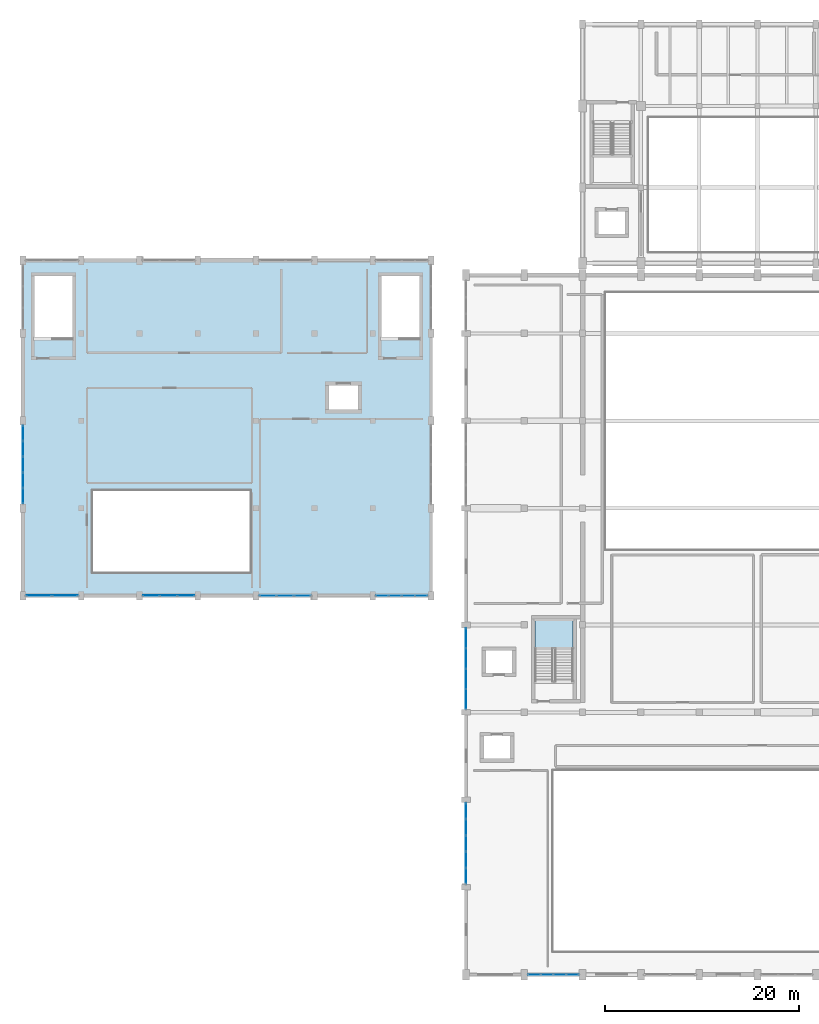
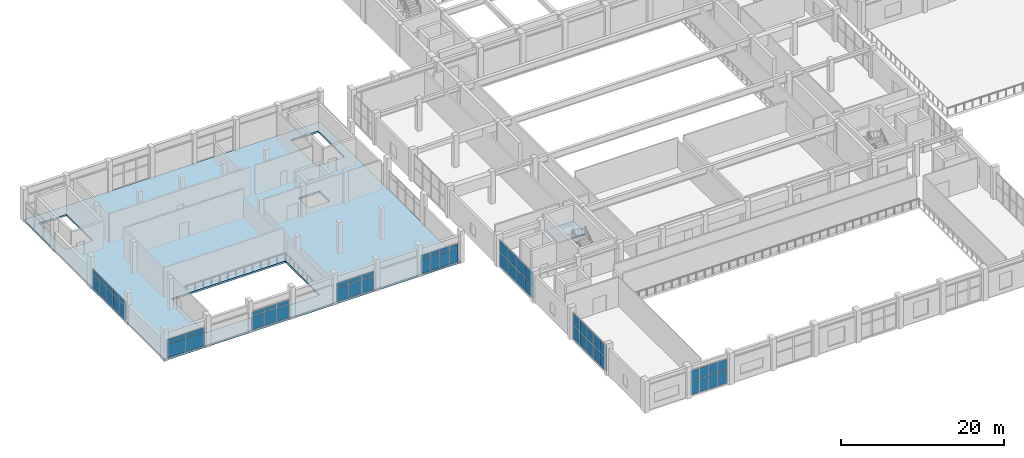
# One storey, part 34 of 62: 60 plates, 2 slabs, 9 elements without a shape of their own.
"""IFC4 building model written with IfcOpenShell, lengths in metres."""

from ifc_helpers import new_model, si_unit, direction, frame, origin, origin_2d, place, context, subcontext, project, spatial, polyline, rectangle, outline, extrude, material, layer, layer_set, type_object, element, aggregate, save


model = new_model("IFC4")

# Units and contexts
model_context = context("Model", 3, precision=1e-05, world=origin(), true_north=direction((0.0, 1.0)))
body_context = subcontext(model_context, "Body", "Model", "MODEL_VIEW")
ifc_project = project(units=[si_unit("LENGTHUNIT", "METRE"), si_unit("AREAUNIT", "SQUARE_METRE"), si_unit("VOLUMEUNIT", "CUBIC_METRE"), si_unit("PLANEANGLEUNIT", "RADIAN"), si_unit("MASSUNIT", "GRAM", prefix="KILO")], contexts=[model_context])

# Site, building, storey
site_placement = place(None, origin())
site = spatial("IfcSite", under=ifc_project, at=site_placement, CompositionType="ELEMENT")
building_placement = place(site_placement, origin())
building = spatial("IfcBuilding", under=site, at=building_placement, Name="Vaelkrest Opera House", CompositionType="ELEMENT")
storey_placement = place(building_placement, frame((0.0, 0.0, 19.800048828125)))
storey = spatial("IfcBuildingStorey", under=building, at=storey_placement, Name="L04", CompositionType="ELEMENT", Elevation=19.800048828125)

# Curtain wall, plates
ifc_material_1 = material(Name="Dark bronze anodized aluminium", Category="aluminium")
ifc_layer_1 = layer(ifc_material_1, 0.18994140625)
ifc_layer_set_1 = layer_set([ifc_layer_1], Name="Dark bronze anodized aluminium")
curtain_wall_type_1 = type_object("IfcCurtainWallType", Name="CW02", PredefinedType="NOTDEFINED", material=ifc_layer_set_1)
curtain_wall_1_placement = place(storey_placement, origin())
curtain_wall_1 = element("IfcCurtainWall", 1, at=curtain_wall_1_placement, inside=storey, type_object=curtain_wall_type_1, Name="Curtain wall CW-L04-059", PredefinedType="NOTDEFINED")
ifc_material_2 = material(Name="Double low-E insulated glazing", Category="glass")
ifc_layer_2 = layer(ifc_material_2, 0.030029296875)
ifc_layer_set_2 = layer_set([ifc_layer_2], Name="Double low-E insulated glazing")
plate_type_1 = type_object("IfcPlateType", Name="CWP02", PredefinedType="CURTAIN_PANEL", material=ifc_layer_set_2)
plate_1_placement = place(storey_placement, frame((-19.028564453125, -55.800048828125, 0.070068359375), z_axis=(0.0, 0.0, 1.0), x_axis=(-1.0, 0.0, 0.0)))
plate_1 = element("IfcPlate", 2, at=plate_1_placement, type_object=plate_type_1, Name="CW02 panel 1.1", PredefinedType="CURTAIN_PANEL", context=body_context, shape_type="SweptSolid", body=[
    extrude(rectangle(XDim=1.220947265625, YDim=0.030029296875, at=origin_2d()), origin(), (0.0, 0.0, 1.0), 2.044921875),
])
plate_2_placement = place(storey_placement, frame((-19.028564453125, -55.800048828125, 2.18505859375), z_axis=(0.0, 0.0, 1.0), x_axis=(-1.0, 0.0, 0.0)))
plate_2 = element("IfcPlate", 3, at=plate_2_placement, type_object=plate_type_1, Name="CW02 panel 1.2", PredefinedType="CURTAIN_PANEL", context=body_context, shape_type="SweptSolid", body=[
    extrude(rectangle(XDim=1.220947265625, YDim=0.030029296875, at=origin_2d()), origin(), (0.0, 0.0, 1.0), 1.489990234375),
])
plate_3_placement = place(storey_placement, frame((-20.3369140625, -55.800048828125, 0.070068359375), z_axis=(0.0, 0.0, 1.0), x_axis=(-1.0, 0.0, 0.0)))
plate_3 = element("IfcPlate", 4, at=plate_3_placement, type_object=plate_type_1, Name="CW02 panel 2.1", PredefinedType="CURTAIN_PANEL", context=body_context, shape_type="SweptSolid", body=[
    extrude(rectangle(XDim=1.256103515625, YDim=0.030029296875, at=origin_2d()), origin(), (0.0, 0.0, 1.0), 2.044921875),
])
plate_4_placement = place(storey_placement, frame((-20.3369140625, -55.800048828125, 2.18505859375), z_axis=(0.0, 0.0, 1.0), x_axis=(-1.0, 0.0, 0.0)))
plate_4 = element("IfcPlate", 5, at=plate_4_placement, type_object=plate_type_1, Name="CW02 panel 2.2", PredefinedType="CURTAIN_PANEL", context=body_context, shape_type="SweptSolid", body=[
    extrude(rectangle(XDim=1.256103515625, YDim=0.030029296875, at=origin_2d()), origin(), (0.0, 0.0, 1.0), 1.489990234375),
])
plate_5_placement = place(storey_placement, frame((-21.6630859375, -55.800048828125, 0.070068359375), z_axis=(0.0, 0.0, 1.0), x_axis=(-1.0, 0.0, 0.0)))
plate_5 = element("IfcPlate", 6, at=plate_5_placement, type_object=plate_type_1, Name="CW02 panel 3.1", PredefinedType="CURTAIN_PANEL", context=body_context, shape_type="SweptSolid", body=[
    extrude(rectangle(XDim=1.256103515625, YDim=0.030029296875, at=origin_2d()), origin(), (0.0, 0.0, 1.0), 2.044921875),
])
plate_6_placement = place(storey_placement, frame((-21.6630859375, -55.800048828125, 2.18505859375), z_axis=(0.0, 0.0, 1.0), x_axis=(-1.0, 0.0, 0.0)))
plate_6 = element("IfcPlate", 7, at=plate_6_placement, type_object=plate_type_1, Name="CW02 panel 3.2", PredefinedType="CURTAIN_PANEL", context=body_context, shape_type="SweptSolid", body=[
    extrude(rectangle(XDim=1.256103515625, YDim=0.030029296875, at=origin_2d()), origin(), (0.0, 0.0, 1.0), 1.489990234375),
])
plate_7_placement = place(storey_placement, frame((-22.971435546875, -55.800048828125, 0.070068359375), z_axis=(0.0, 0.0, 1.0), x_axis=(-1.0, 0.0, 0.0)))
plate_7 = element("IfcPlate", 8, at=plate_7_placement, type_object=plate_type_1, Name="CW02 panel 4.1", PredefinedType="CURTAIN_PANEL", context=body_context, shape_type="SweptSolid", body=[
    extrude(rectangle(XDim=1.220947265625, YDim=0.030029296875, at=origin_2d()), origin(), (0.0, 0.0, 1.0), 2.044921875),
])
plate_8_placement = place(storey_placement, frame((-22.971435546875, -55.800048828125, 2.18505859375), z_axis=(0.0, 0.0, 1.0), x_axis=(-1.0, 0.0, 0.0)))
plate_8 = element("IfcPlate", 9, at=plate_8_placement, type_object=plate_type_1, Name="CW02 panel 4.2", PredefinedType="CURTAIN_PANEL", context=body_context, shape_type="SweptSolid", body=[
    extrude(rectangle(XDim=1.220947265625, YDim=0.030029296875, at=origin_2d()), origin(), (0.0, 0.0, 1.0), 1.489990234375),
])
aggregate(curtain_wall_1, [plate_1, plate_2, plate_3, plate_4, plate_5, plate_6, plate_7, plate_8])

curtain_wall_2_placement = place(storey_placement, origin())
curtain_wall_2 = element("IfcCurtainWall", 10, at=curtain_wall_2_placement, inside=storey, type_object=curtain_wall_type_1, Name="Curtain wall CW-L04-137", PredefinedType="NOTDEFINED")
plate_9_placement = place(storey_placement, frame((-34.591064453125, -16.800048828125, 0.070068359375), z_axis=(0.0, 0.0, 1.0), x_axis=(-1.0, 0.0, 0.0)))
plate_9 = element("IfcPlate", 11, at=plate_9_placement, type_object=plate_type_1, Name="CW02 panel 1.1", PredefinedType="CURTAIN_PANEL", context=body_context, shape_type="SweptSolid", body=[
    extrude(rectangle(XDim=1.24609375, YDim=0.030029296875, at=origin_2d()), origin(), (0.0, 0.0, 1.0), 2.044921875),
])
plate_10_placement = place(storey_placement, frame((-34.591064453125, -16.800048828125, 2.18505859375), z_axis=(0.0, 0.0, 1.0), x_axis=(-1.0, 0.0, 0.0)))
plate_10 = element("IfcPlate", 12, at=plate_10_placement, type_object=plate_type_1, Name="CW02 panel 1.2", PredefinedType="CURTAIN_PANEL", context=body_context, shape_type="SweptSolid", body=[
    extrude(rectangle(XDim=1.24609375, YDim=0.030029296875, at=origin_2d()), origin(), (0.0, 0.0, 1.0), 0.596923828125),
])
plate_11_placement = place(storey_placement, frame((-35.924560546875, -16.800048828125, 0.070068359375), z_axis=(0.0, 0.0, 1.0), x_axis=(-1.0, 0.0, 0.0)))
plate_11 = element("IfcPlate", 13, at=plate_11_placement, type_object=plate_type_1, Name="CW02 panel 2.1", PredefinedType="CURTAIN_PANEL", context=body_context, shape_type="SweptSolid", body=[
    extrude(rectangle(XDim=1.281005859375, YDim=0.030029296875, at=origin_2d()), origin(), (0.0, 0.0, 1.0), 2.044921875),
])
plate_12_placement = place(storey_placement, frame((-35.924560546875, -16.800048828125, 2.18505859375), z_axis=(0.0, 0.0, 1.0), x_axis=(-1.0, 0.0, 0.0)))
plate_12 = element("IfcPlate", 14, at=plate_12_placement, type_object=plate_type_1, Name="CW02 panel 2.2", PredefinedType="CURTAIN_PANEL", context=body_context, shape_type="SweptSolid", body=[
    extrude(rectangle(XDim=1.281005859375, YDim=0.030029296875, at=origin_2d()), origin(), (0.0, 0.0, 1.0), 0.596923828125),
])
plate_13_placement = place(storey_placement, frame((-37.275390625, -16.800048828125, 0.070068359375), z_axis=(0.0, 0.0, 1.0), x_axis=(-1.0, 0.0, 0.0)))
plate_13 = element("IfcPlate", 15, at=plate_13_placement, type_object=plate_type_1, Name="CW02 panel 3.1", PredefinedType="CURTAIN_PANEL", context=body_context, shape_type="SweptSolid", body=[
    extrude(rectangle(XDim=1.281005859375, YDim=0.030029296875, at=origin_2d()), origin(), (0.0, 0.0, 1.0), 2.044921875),
])
plate_14_placement = place(storey_placement, frame((-37.275390625, -16.800048828125, 2.18505859375), z_axis=(0.0, 0.0, 1.0), x_axis=(-1.0, 0.0, 0.0)))
plate_14 = element("IfcPlate", 16, at=plate_14_placement, type_object=plate_type_1, Name="CW02 panel 3.2", PredefinedType="CURTAIN_PANEL", context=body_context, shape_type="SweptSolid", body=[
    extrude(rectangle(XDim=1.281005859375, YDim=0.030029296875, at=origin_2d()), origin(), (0.0, 0.0, 1.0), 0.596923828125),
])
plate_15_placement = place(storey_placement, frame((-38.60888671875, -16.800048828125, 0.070068359375), z_axis=(0.0, 0.0, 1.0), x_axis=(-1.0, 0.0, 0.0)))
plate_15 = element("IfcPlate", 17, at=plate_15_placement, type_object=plate_type_1, Name="CW02 panel 4.1", PredefinedType="CURTAIN_PANEL", context=body_context, shape_type="SweptSolid", body=[
    extrude(rectangle(XDim=1.24609375, YDim=0.030029296875, at=origin_2d()), origin(), (0.0, 0.0, 1.0), 2.044921875),
])
plate_16_placement = place(storey_placement, frame((-38.60888671875, -16.800048828125, 2.18505859375), z_axis=(0.0, 0.0, 1.0), x_axis=(-1.0, 0.0, 0.0)))
plate_16 = element("IfcPlate", 18, at=plate_16_placement, type_object=plate_type_1, Name="CW02 panel 4.2", PredefinedType="CURTAIN_PANEL", context=body_context, shape_type="SweptSolid", body=[
    extrude(rectangle(XDim=1.24609375, YDim=0.030029296875, at=origin_2d()), origin(), (0.0, 0.0, 1.0), 0.596923828125),
])
aggregate(curtain_wall_2, [plate_9, plate_10, plate_11, plate_12, plate_13, plate_14, plate_15, plate_16])

ifc_layer_3 = layer(ifc_material_1, 0.2099609375)
ifc_layer_set_3 = layer_set([ifc_layer_3], Name="Dark bronze anodized aluminium")
curtain_wall_type_2 = type_object("IfcCurtainWallType", Name="CW04", PredefinedType="NOTDEFINED", material=ifc_layer_set_3)
curtain_wall_3_placement = place(storey_placement, origin())
curtain_wall_3 = element("IfcCurtainWall", 19, at=curtain_wall_3_placement, inside=storey, type_object=curtain_wall_type_2, Name="Curtain wall CW-L04-060", PredefinedType="NOTDEFINED")
ifc_layer_4 = layer(ifc_material_2, 0.0380859375)
ifc_layer_set_4 = layer_set([ifc_layer_4], Name="Double low-E insulated glazing")
plate_type_2 = type_object("IfcPlateType", Name="CWP04", PredefinedType="CURTAIN_PANEL", material=ifc_layer_set_4)
plate_17_placement = place(storey_placement, frame((-30.0, -45.6416015625, 0.080078125), z_axis=(0.0, 0.0, 1.0), x_axis=(0.0, 1.0, 0.0)))
plate_17 = element("IfcPlate", 20, at=plate_17_placement, type_object=plate_type_2, Name="CW04 panel 1.1", PredefinedType="CURTAIN_PANEL", context=body_context, shape_type="SweptSolid", body=[
    extrude(rectangle(XDim=1.560791015625, YDim=0.0380859375, at=origin_2d()), origin(), (0.0, 0.0, 1.0), 2.030029296875),
])
plate_18_placement = place(storey_placement, frame((-30.0, -45.6416015625, 2.18994140625), z_axis=(0.0, 0.0, 1.0), x_axis=(0.0, 1.0, 0.0)))
plate_18 = element("IfcPlate", 21, at=plate_18_placement, type_object=plate_type_2, Name="CW04 panel 1.2", PredefinedType="CURTAIN_PANEL", context=body_context, shape_type="SweptSolid", body=[
    extrude(rectangle(XDim=1.560791015625, YDim=0.0380859375, at=origin_2d()), origin(), (0.0, 0.0, 1.0), 1.77294921875),
])
plate_19_placement = place(storey_placement, frame((-30.0, -43.980712890625, 0.080078125), z_axis=(0.0, 0.0, 1.0), x_axis=(0.0, 1.0, 0.0)))
plate_19 = element("IfcPlate", 22, at=plate_19_placement, type_object=plate_type_2, Name="CW04 panel 2.1", PredefinedType="CURTAIN_PANEL", context=body_context, shape_type="SweptSolid", body=[
    extrude(rectangle(XDim=1.600830078125, YDim=0.0380859375, at=origin_2d()), origin(), (0.0, 0.0, 1.0), 2.030029296875),
])
plate_20_placement = place(storey_placement, frame((-30.0, -43.980712890625, 2.18994140625), z_axis=(0.0, 0.0, 1.0), x_axis=(0.0, 1.0, 0.0)))
plate_20 = element("IfcPlate", 23, at=plate_20_placement, type_object=plate_type_2, Name="CW04 panel 2.2", PredefinedType="CURTAIN_PANEL", context=body_context, shape_type="SweptSolid", body=[
    extrude(rectangle(XDim=1.600830078125, YDim=0.0380859375, at=origin_2d()), origin(), (0.0, 0.0, 1.0), 1.77294921875),
])
plate_21_placement = place(storey_placement, frame((-30.0, -42.300048828125, 0.080078125), z_axis=(0.0, 0.0, 1.0), x_axis=(0.0, 1.0, 0.0)))
plate_21 = element("IfcPlate", 24, at=plate_21_placement, type_object=plate_type_2, Name="CW04 panel 3.1", PredefinedType="CURTAIN_PANEL", context=body_context, shape_type="SweptSolid", body=[
    extrude(rectangle(XDim=1.600830078125, YDim=0.0380859375, at=origin_2d()), origin(), (0.0, 0.0, 1.0), 2.030029296875),
])
plate_22_placement = place(storey_placement, frame((-30.0, -42.300048828125, 2.18994140625), z_axis=(0.0, 0.0, 1.0), x_axis=(0.0, 1.0, 0.0)))
plate_22 = element("IfcPlate", 25, at=plate_22_placement, type_object=plate_type_2, Name="CW04 panel 3.2", PredefinedType="CURTAIN_PANEL", context=body_context, shape_type="SweptSolid", body=[
    extrude(rectangle(XDim=1.600830078125, YDim=0.0380859375, at=origin_2d()), origin(), (0.0, 0.0, 1.0), 1.77294921875),
])
plate_23_placement = place(storey_placement, frame((-30.0, -40.619140625, 0.080078125), z_axis=(0.0, 0.0, 1.0), x_axis=(0.0, 1.0, 0.0)))
plate_23 = element("IfcPlate", 26, at=plate_23_placement, type_object=plate_type_2, Name="CW04 panel 4.1", PredefinedType="CURTAIN_PANEL", context=body_context, shape_type="SweptSolid", body=[
    extrude(rectangle(XDim=1.600830078125, YDim=0.0380859375, at=origin_2d()), origin(), (0.0, 0.0, 1.0), 2.030029296875),
])
plate_24_placement = place(storey_placement, frame((-30.0, -40.619140625, 2.18994140625), z_axis=(0.0, 0.0, 1.0), x_axis=(0.0, 1.0, 0.0)))
plate_24 = element("IfcPlate", 27, at=plate_24_placement, type_object=plate_type_2, Name="CW04 panel 4.2", PredefinedType="CURTAIN_PANEL", context=body_context, shape_type="SweptSolid", body=[
    extrude(rectangle(XDim=1.600830078125, YDim=0.0380859375, at=origin_2d()), origin(), (0.0, 0.0, 1.0), 1.77294921875),
])
plate_25_placement = place(storey_placement, frame((-30.0, -38.95849609375, 0.080078125), z_axis=(0.0, 0.0, 1.0), x_axis=(0.0, 1.0, 0.0)))
plate_25 = element("IfcPlate", 28, at=plate_25_placement, type_object=plate_type_2, Name="CW04 panel 5.1", PredefinedType="CURTAIN_PANEL", context=body_context, shape_type="SweptSolid", body=[
    extrude(rectangle(XDim=1.560791015625, YDim=0.0380859375, at=origin_2d()), origin(), (0.0, 0.0, 1.0), 2.030029296875),
])
plate_26_placement = place(storey_placement, frame((-30.0, -38.95849609375, 2.18994140625), z_axis=(0.0, 0.0, 1.0), x_axis=(0.0, 1.0, 0.0)))
plate_26 = element("IfcPlate", 29, at=plate_26_placement, type_object=plate_type_2, Name="CW04 panel 5.2", PredefinedType="CURTAIN_PANEL", context=body_context, shape_type="SweptSolid", body=[
    extrude(rectangle(XDim=1.560791015625, YDim=0.0380859375, at=origin_2d()), origin(), (0.0, 0.0, 1.0), 1.77294921875),
])
aggregate(curtain_wall_3, [plate_17, plate_18, plate_19, plate_20, plate_21, plate_22, plate_23, plate_24, plate_25, plate_26])

curtain_wall_4_placement = place(storey_placement, origin())
curtain_wall_4 = element("IfcCurtainWall", 30, at=curtain_wall_4_placement, inside=storey, type_object=curtain_wall_type_2, Name="Curtain wall CW-L04-138", PredefinedType="NOTDEFINED")
plate_27_placement = place(storey_placement, frame((-46.818603515625, -16.800048828125, 0.080078125), z_axis=(0.0, 0.0, 1.0), x_axis=(-1.0, 0.0, 0.0)))
plate_27 = element("IfcPlate", 31, at=plate_27_placement, type_object=plate_type_2, Name="CW04 panel 1.1", PredefinedType="CURTAIN_PANEL", context=body_context, shape_type="SweptSolid", body=[
    extrude(rectangle(XDim=1.681396484375, YDim=0.0380859375, at=origin_2d()), origin(), (0.0, 0.0, 1.0), 2.030029296875),
])
plate_28_placement = place(storey_placement, frame((-46.818603515625, -16.800048828125, 2.18994140625), z_axis=(0.0, 0.0, 1.0), x_axis=(-1.0, 0.0, 0.0)))
plate_28 = element("IfcPlate", 32, at=plate_28_placement, type_object=plate_type_2, Name="CW04 panel 1.2", PredefinedType="CURTAIN_PANEL", context=body_context, shape_type="SweptSolid", body=[
    extrude(rectangle(XDim=1.681396484375, YDim=0.0380859375, at=origin_2d()), origin(), (0.0, 0.0, 1.0), 0.58203125),
])
plate_29_placement = place(storey_placement, frame((-48.60009765625, -16.800048828125, 0.080078125), z_axis=(0.0, 0.0, 1.0), x_axis=(-1.0, 0.0, 0.0)))
plate_29 = element("IfcPlate", 33, at=plate_29_placement, type_object=plate_type_2, Name="CW04 panel 2.1", PredefinedType="CURTAIN_PANEL", context=body_context, shape_type="SweptSolid", body=[
    extrude(rectangle(XDim=1.721435546875, YDim=0.0380859375, at=origin_2d()), origin(), (0.0, 0.0, 1.0), 2.030029296875),
])
plate_30_placement = place(storey_placement, frame((-48.60009765625, -16.800048828125, 2.18994140625), z_axis=(0.0, 0.0, 1.0), x_axis=(-1.0, 0.0, 0.0)))
plate_30 = element("IfcPlate", 34, at=plate_30_placement, type_object=plate_type_2, Name="CW04 panel 2.2", PredefinedType="CURTAIN_PANEL", context=body_context, shape_type="SweptSolid", body=[
    extrude(rectangle(XDim=1.721435546875, YDim=0.0380859375, at=origin_2d()), origin(), (0.0, 0.0, 1.0), 0.58203125),
])
plate_31_placement = place(storey_placement, frame((-50.38134765625, -16.800048828125, 0.080078125), z_axis=(0.0, 0.0, 1.0), x_axis=(-1.0, 0.0, 0.0)))
plate_31 = element("IfcPlate", 35, at=plate_31_placement, type_object=plate_type_2, Name="CW04 panel 3.1", PredefinedType="CURTAIN_PANEL", context=body_context, shape_type="SweptSolid", body=[
    extrude(rectangle(XDim=1.681396484375, YDim=0.0380859375, at=origin_2d()), origin(), (0.0, 0.0, 1.0), 2.030029296875),
])
plate_32_placement = place(storey_placement, frame((-50.38134765625, -16.800048828125, 2.18994140625), z_axis=(0.0, 0.0, 1.0), x_axis=(-1.0, 0.0, 0.0)))
plate_32 = element("IfcPlate", 36, at=plate_32_placement, type_object=plate_type_2, Name="CW04 panel 3.2", PredefinedType="CURTAIN_PANEL", context=body_context, shape_type="SweptSolid", body=[
    extrude(rectangle(XDim=1.681396484375, YDim=0.0380859375, at=origin_2d()), origin(), (0.0, 0.0, 1.0), 0.58203125),
])
aggregate(curtain_wall_4, [plate_27, plate_28, plate_29, plate_30, plate_31, plate_32])

curtain_wall_5_placement = place(storey_placement, origin())
curtain_wall_5 = element("IfcCurtainWall", 37, at=curtain_wall_5_placement, inside=storey, type_object=curtain_wall_type_2, Name="Curtain wall CW-L04-141", PredefinedType="NOTDEFINED")
plate_33_placement = place(storey_placement, frame((-75.60009765625, -6.521484375, 0.080078125), z_axis=(0.0, 0.0, 1.0), x_axis=(0.0, 1.0, 0.0)))
plate_33 = element("IfcPlate", 38, at=plate_33_placement, type_object=plate_type_2, Name="CW04 panel 1.1", PredefinedType="CURTAIN_PANEL", context=body_context, shape_type="SweptSolid", body=[
    extrude(rectangle(XDim=1.500732421875, YDim=0.0380859375, at=origin_2d()), origin(), (0.0, 0.0, 1.0), 2.030029296875),
])
plate_34_placement = place(storey_placement, frame((-75.60009765625, -6.521484375, 2.18994140625), z_axis=(0.0, 0.0, 1.0), x_axis=(0.0, 1.0, 0.0)))
plate_34 = element("IfcPlate", 39, at=plate_34_placement, type_object=plate_type_2, Name="CW04 panel 1.2", PredefinedType="CURTAIN_PANEL", context=body_context, shape_type="SweptSolid", body=[
    extrude(rectangle(XDim=1.500732421875, YDim=0.0380859375, at=origin_2d()), origin(), (0.0, 0.0, 1.0), 0.68798828125),
])
plate_35_placement = place(storey_placement, frame((-75.60009765625, -4.9208984375, 0.080078125), z_axis=(0.0, 0.0, 1.0), x_axis=(0.0, 1.0, 0.0)))
plate_35 = element("IfcPlate", 40, at=plate_35_placement, type_object=plate_type_2, Name="CW04 panel 2.1", PredefinedType="CURTAIN_PANEL", context=body_context, shape_type="SweptSolid", body=[
    extrude(rectangle(XDim=1.540771484375, YDim=0.0380859375, at=origin_2d()), origin(), (0.0, 0.0, 1.0), 2.030029296875),
])
plate_36_placement = place(storey_placement, frame((-75.60009765625, -4.9208984375, 2.18994140625), z_axis=(0.0, 0.0, 1.0), x_axis=(0.0, 1.0, 0.0)))
plate_36 = element("IfcPlate", 41, at=plate_36_placement, type_object=plate_type_2, Name="CW04 panel 2.2", PredefinedType="CURTAIN_PANEL", context=body_context, shape_type="SweptSolid", body=[
    extrude(rectangle(XDim=1.540771484375, YDim=0.0380859375, at=origin_2d()), origin(), (0.0, 0.0, 1.0), 0.68798828125),
])
plate_37_placement = place(storey_placement, frame((-75.60009765625, -3.300048828125, 0.080078125), z_axis=(0.0, 0.0, 1.0), x_axis=(0.0, 1.0, 0.0)))
plate_37 = element("IfcPlate", 42, at=plate_37_placement, type_object=plate_type_2, Name="CW04 panel 3.1", PredefinedType="CURTAIN_PANEL", context=body_context, shape_type="SweptSolid", body=[
    extrude(rectangle(XDim=1.540771484375, YDim=0.0380859375, at=origin_2d()), origin(), (0.0, 0.0, 1.0), 2.030029296875),
])
plate_38_placement = place(storey_placement, frame((-75.60009765625, -3.300048828125, 2.18994140625), z_axis=(0.0, 0.0, 1.0), x_axis=(0.0, 1.0, 0.0)))
plate_38 = element("IfcPlate", 43, at=plate_38_placement, type_object=plate_type_2, Name="CW04 panel 3.2", PredefinedType="CURTAIN_PANEL", context=body_context, shape_type="SweptSolid", body=[
    extrude(rectangle(XDim=1.540771484375, YDim=0.0380859375, at=origin_2d()), origin(), (0.0, 0.0, 1.0), 0.68798828125),
])
plate_39_placement = place(storey_placement, frame((-75.60009765625, -1.67919921875, 0.080078125), z_axis=(0.0, 0.0, 1.0), x_axis=(0.0, 1.0, 0.0)))
plate_39 = element("IfcPlate", 44, at=plate_39_placement, type_object=plate_type_2, Name="CW04 panel 4.1", PredefinedType="CURTAIN_PANEL", context=body_context, shape_type="SweptSolid", body=[
    extrude(rectangle(XDim=1.540771484375, YDim=0.0380859375, at=origin_2d()), origin(), (0.0, 0.0, 1.0), 2.030029296875),
])
plate_40_placement = place(storey_placement, frame((-75.60009765625, -1.67919921875, 2.18994140625), z_axis=(0.0, 0.0, 1.0), x_axis=(0.0, 1.0, 0.0)))
plate_40 = element("IfcPlate", 45, at=plate_40_placement, type_object=plate_type_2, Name="CW04 panel 4.2", PredefinedType="CURTAIN_PANEL", context=body_context, shape_type="SweptSolid", body=[
    extrude(rectangle(XDim=1.540771484375, YDim=0.0380859375, at=origin_2d()), origin(), (0.0, 0.0, 1.0), 0.68798828125),
])
plate_41_placement = place(storey_placement, frame((-75.60009765625, -0.078369140625, 0.080078125), z_axis=(0.0, 0.0, 1.0), x_axis=(0.0, 1.0, 0.0)))
plate_41 = element("IfcPlate", 46, at=plate_41_placement, type_object=plate_type_2, Name="CW04 panel 5.1", PredefinedType="CURTAIN_PANEL", context=body_context, shape_type="SweptSolid", body=[
    extrude(rectangle(XDim=1.500732421875, YDim=0.0380859375, at=origin_2d()), origin(), (0.0, 0.0, 1.0), 2.030029296875),
])
plate_42_placement = place(storey_placement, frame((-75.60009765625, -0.078369140625, 2.18994140625), z_axis=(0.0, 0.0, 1.0), x_axis=(0.0, 1.0, 0.0)))
plate_42 = element("IfcPlate", 47, at=plate_42_placement, type_object=plate_type_2, Name="CW04 panel 5.2", PredefinedType="CURTAIN_PANEL", context=body_context, shape_type="SweptSolid", body=[
    extrude(rectangle(XDim=1.500732421875, YDim=0.0380859375, at=origin_2d()), origin(), (0.0, 0.0, 1.0), 0.68798828125),
])
aggregate(curtain_wall_5, [plate_33, plate_34, plate_35, plate_36, plate_37, plate_38, plate_39, plate_40, plate_41, plate_42])

ifc_layer_5 = layer(ifc_material_1, 0.22998046875)
ifc_layer_set_5 = layer_set([ifc_layer_5], Name="Dark bronze anodized aluminium")
curtain_wall_type_3 = type_object("IfcCurtainWallType", Name="CW06", PredefinedType="NOTDEFINED", material=ifc_layer_set_5)
curtain_wall_6_placement = place(storey_placement, origin())
curtain_wall_6 = element("IfcCurtainWall", 48, at=curtain_wall_6_placement, inside=storey, type_object=curtain_wall_type_3, Name="Curtain wall CW-L04-061", PredefinedType="NOTDEFINED")
ifc_material_3 = material(Name="Dark bronze anodized aluminium spandrel", Category="aluminium")
ifc_layer_6 = layer(ifc_material_3, 0.0458984375)
ifc_layer_set_6 = layer_set([ifc_layer_6], Name="Dark bronze anodized aluminium spandrel")
plate_type_3 = type_object("IfcPlateType", Name="CWP06", PredefinedType="CURTAIN_PANEL", material=ifc_layer_set_6)
plate_43_placement = place(storey_placement, frame((-30.0, -27.43408203125, 0.080078125), z_axis=(0.0, 0.0, 1.0), x_axis=(0.0, 1.0, 0.0)))
plate_43 = element("IfcPlate", 49, at=plate_43_placement, type_object=plate_type_3, Name="CW06 panel 1.1", PredefinedType="CURTAIN_PANEL", context=body_context, shape_type="SweptSolid", body=[
    extrude(rectangle(XDim=1.99609375, YDim=0.0458984375, at=origin_2d()), origin(), (0.0, 0.0, 1.0), 2.030029296875),
])
plate_44_placement = place(storey_placement, frame((-30.0, -27.43408203125, 2.18994140625), z_axis=(0.0, 0.0, 1.0), x_axis=(0.0, 1.0, 0.0)))
plate_44 = element("IfcPlate", 50, at=plate_44_placement, type_object=plate_type_3, Name="CW06 panel 1.2", PredefinedType="CURTAIN_PANEL", context=body_context, shape_type="SweptSolid", body=[
    extrude(rectangle(XDim=1.99609375, YDim=0.0458984375, at=origin_2d()), origin(), (0.0, 0.0, 1.0), 1.77294921875),
])
plate_45_placement = place(storey_placement, frame((-30.0, -25.3505859375, 0.080078125), z_axis=(0.0, 0.0, 1.0), x_axis=(0.0, 1.0, 0.0)))
plate_45 = element("IfcPlate", 51, at=plate_45_placement, type_object=plate_type_3, Name="CW06 panel 2.1", PredefinedType="CURTAIN_PANEL", context=body_context, shape_type="SweptSolid", body=[
    extrude(rectangle(XDim=2.031005859375, YDim=0.0458984375, at=origin_2d()), origin(), (0.0, 0.0, 1.0), 2.030029296875),
])
plate_46_placement = place(storey_placement, frame((-30.0, -25.3505859375, 2.18994140625), z_axis=(0.0, 0.0, 1.0), x_axis=(0.0, 1.0, 0.0)))
plate_46 = element("IfcPlate", 52, at=plate_46_placement, type_object=plate_type_3, Name="CW06 panel 2.2", PredefinedType="CURTAIN_PANEL", context=body_context, shape_type="SweptSolid", body=[
    extrude(rectangle(XDim=2.031005859375, YDim=0.0458984375, at=origin_2d()), origin(), (0.0, 0.0, 1.0), 1.77294921875),
])
plate_47_placement = place(storey_placement, frame((-30.0, -23.24951171875, 0.080078125), z_axis=(0.0, 0.0, 1.0), x_axis=(0.0, 1.0, 0.0)))
plate_47 = element("IfcPlate", 53, at=plate_47_placement, type_object=plate_type_3, Name="CW06 panel 3.1", PredefinedType="CURTAIN_PANEL", context=body_context, shape_type="SweptSolid", body=[
    extrude(rectangle(XDim=2.031005859375, YDim=0.0458984375, at=origin_2d()), origin(), (0.0, 0.0, 1.0), 2.030029296875),
])
plate_48_placement = place(storey_placement, frame((-30.0, -23.24951171875, 2.18994140625), z_axis=(0.0, 0.0, 1.0), x_axis=(0.0, 1.0, 0.0)))
plate_48 = element("IfcPlate", 54, at=plate_48_placement, type_object=plate_type_3, Name="CW06 panel 3.2", PredefinedType="CURTAIN_PANEL", context=body_context, shape_type="SweptSolid", body=[
    extrude(rectangle(XDim=2.031005859375, YDim=0.0458984375, at=origin_2d()), origin(), (0.0, 0.0, 1.0), 1.77294921875),
])
plate_49_placement = place(storey_placement, frame((-30.0, -21.166015625, 0.080078125), z_axis=(0.0, 0.0, 1.0), x_axis=(0.0, 1.0, 0.0)))
plate_49 = element("IfcPlate", 55, at=plate_49_placement, type_object=plate_type_3, Name="CW06 panel 4.1", PredefinedType="CURTAIN_PANEL", context=body_context, shape_type="SweptSolid", body=[
    extrude(rectangle(XDim=1.99609375, YDim=0.0458984375, at=origin_2d()), origin(), (0.0, 0.0, 1.0), 2.030029296875),
])
plate_50_placement = place(storey_placement, frame((-30.0, -21.166015625, 2.18994140625), z_axis=(0.0, 0.0, 1.0), x_axis=(0.0, 1.0, 0.0)))
plate_50 = element("IfcPlate", 56, at=plate_50_placement, type_object=plate_type_3, Name="CW06 panel 4.2", PredefinedType="CURTAIN_PANEL", context=body_context, shape_type="SweptSolid", body=[
    extrude(rectangle(XDim=1.99609375, YDim=0.0458984375, at=origin_2d()), origin(), (0.0, 0.0, 1.0), 1.77294921875),
])
aggregate(curtain_wall_6, [plate_43, plate_44, plate_45, plate_46, plate_47, plate_48, plate_49, plate_50])

curtain_wall_7_placement = place(storey_placement, origin())
curtain_wall_7 = element("IfcCurtainWall", 57, at=curtain_wall_7_placement, inside=storey, type_object=curtain_wall_type_3, Name="Curtain wall CW-L04-139", PredefinedType="NOTDEFINED")
plate_51_placement = place(storey_placement, frame((-58.816162109375, -16.800048828125, 0.080078125), z_axis=(0.0, 0.0, 1.0), x_axis=(-1.0, 0.0, 0.0)))
plate_51 = element("IfcPlate", 58, at=plate_51_placement, type_object=plate_type_3, Name="CW06 panel 1.1", PredefinedType="CURTAIN_PANEL", context=body_context, shape_type="SweptSolid", body=[
    extrude(rectangle(XDim=1.6962890625, YDim=0.0458984375, at=origin_2d()), origin(), (0.0, 0.0, 1.0), 2.030029296875),
])
plate_52_placement = place(storey_placement, frame((-58.816162109375, -16.800048828125, 2.18994140625), z_axis=(0.0, 0.0, 1.0), x_axis=(-1.0, 0.0, 0.0)))
plate_52 = element("IfcPlate", 59, at=plate_52_placement, type_object=plate_type_3, Name="CW06 panel 1.2", PredefinedType="CURTAIN_PANEL", context=body_context, shape_type="SweptSolid", body=[
    extrude(rectangle(XDim=1.6962890625, YDim=0.0458984375, at=origin_2d()), origin(), (0.0, 0.0, 1.0), 0.58203125),
])
plate_53_placement = place(storey_placement, frame((-60.60009765625, -16.800048828125, 0.080078125), z_axis=(0.0, 0.0, 1.0), x_axis=(-1.0, 0.0, 0.0)))
plate_53 = element("IfcPlate", 60, at=plate_53_placement, type_object=plate_type_3, Name="CW06 panel 2.1", PredefinedType="CURTAIN_PANEL", context=body_context, shape_type="SweptSolid", body=[
    extrude(rectangle(XDim=1.7314453125, YDim=0.0458984375, at=origin_2d()), origin(), (0.0, 0.0, 1.0), 2.030029296875),
])
plate_54_placement = place(storey_placement, frame((-60.60009765625, -16.800048828125, 2.18994140625), z_axis=(0.0, 0.0, 1.0), x_axis=(-1.0, 0.0, 0.0)))
plate_54 = element("IfcPlate", 61, at=plate_54_placement, type_object=plate_type_3, Name="CW06 panel 2.2", PredefinedType="CURTAIN_PANEL", context=body_context, shape_type="SweptSolid", body=[
    extrude(rectangle(XDim=1.7314453125, YDim=0.0458984375, at=origin_2d()), origin(), (0.0, 0.0, 1.0), 0.58203125),
])
plate_55_placement = place(storey_placement, frame((-62.3837890625, -16.800048828125, 0.080078125), z_axis=(0.0, 0.0, 1.0), x_axis=(-1.0, 0.0, 0.0)))
plate_55 = element("IfcPlate", 62, at=plate_55_placement, type_object=plate_type_3, Name="CW06 panel 3.1", PredefinedType="CURTAIN_PANEL", context=body_context, shape_type="SweptSolid", body=[
    extrude(rectangle(XDim=1.6962890625, YDim=0.0458984375, at=origin_2d()), origin(), (0.0, 0.0, 1.0), 2.030029296875),
])
plate_56_placement = place(storey_placement, frame((-62.3837890625, -16.800048828125, 2.18994140625), z_axis=(0.0, 0.0, 1.0), x_axis=(-1.0, 0.0, 0.0)))
plate_56 = element("IfcPlate", 63, at=plate_56_placement, type_object=plate_type_3, Name="CW06 panel 3.2", PredefinedType="CURTAIN_PANEL", context=body_context, shape_type="SweptSolid", body=[
    extrude(rectangle(XDim=1.6962890625, YDim=0.0458984375, at=origin_2d()), origin(), (0.0, 0.0, 1.0), 0.58203125),
])
aggregate(curtain_wall_7, [plate_51, plate_52, plate_53, plate_54, plate_55, plate_56])

ifc_layer_7 = layer(ifc_material_1, 0.25)
ifc_layer_set_7 = layer_set([ifc_layer_7], Name="Dark bronze anodized aluminium")
curtain_wall_type_4 = type_object("IfcCurtainWallType", Name="CW08", PredefinedType="NOTDEFINED", material=ifc_layer_set_7)
curtain_wall_8_placement = place(storey_placement, origin())
curtain_wall_8 = element("IfcCurtainWall", 64, at=curtain_wall_8_placement, inside=storey, type_object=curtain_wall_type_4, Name="Curtain wall CW-L04-140", PredefinedType="NOTDEFINED")
ifc_layer_8 = layer(ifc_material_3, 0.05810546875)
ifc_layer_set_8 = layer_set([ifc_layer_8], Name="Dark bronze anodized aluminium spandrel")
plate_type_4 = type_object("IfcPlateType", Name="CWP08", PredefinedType="CURTAIN_PANEL", material=ifc_layer_set_8)
plate_57_placement = place(storey_placement, frame((-71.26904296875, -16.800048828125, 0.070068359375), z_axis=(0.0, 0.0, 1.0), x_axis=(-1.0, 0.0, 0.0)))
plate_57 = element("IfcPlate", 65, at=plate_57_placement, type_object=plate_type_4, Name="CW08 panel 1.1", PredefinedType="CURTAIN_PANEL", context=body_context, shape_type="SweptSolid", body=[
    extrude(rectangle(XDim=2.58203125, YDim=0.05810546875, at=origin_2d()), origin(), (0.0, 0.0, 1.0), 2.044921875),
])
plate_58_placement = place(storey_placement, frame((-71.26904296875, -16.800048828125, 2.18505859375), z_axis=(0.0, 0.0, 1.0), x_axis=(-1.0, 0.0, 0.0)))
plate_58 = element("IfcPlate", 66, at=plate_58_placement, type_object=plate_type_4, Name="CW08 panel 1.2", PredefinedType="CURTAIN_PANEL", context=body_context, shape_type="SweptSolid", body=[
    extrude(rectangle(XDim=2.58203125, YDim=0.05810546875, at=origin_2d()), origin(), (0.0, 0.0, 1.0), 0.596923828125),
])
plate_59_placement = place(storey_placement, frame((-73.930908203125, -16.800048828125, 0.070068359375), z_axis=(0.0, 0.0, 1.0), x_axis=(-1.0, 0.0, 0.0)))
plate_59 = element("IfcPlate", 67, at=plate_59_placement, type_object=plate_type_4, Name="CW08 panel 2.1", PredefinedType="CURTAIN_PANEL", context=body_context, shape_type="SweptSolid", body=[
    extrude(rectangle(XDim=2.58203125, YDim=0.05810546875, at=origin_2d()), origin(), (0.0, 0.0, 1.0), 2.044921875),
])
plate_60_placement = place(storey_placement, frame((-73.930908203125, -16.800048828125, 2.18505859375), z_axis=(0.0, 0.0, 1.0), x_axis=(-1.0, 0.0, 0.0)))
plate_60 = element("IfcPlate", 68, at=plate_60_placement, type_object=plate_type_4, Name="CW08 panel 2.2", PredefinedType="CURTAIN_PANEL", context=body_context, shape_type="SweptSolid", body=[
    extrude(rectangle(XDim=2.58203125, YDim=0.05810546875, at=origin_2d()), origin(), (0.0, 0.0, 1.0), 0.596923828125),
])
aggregate(curtain_wall_8, [plate_57, plate_58, plate_59, plate_60])

# Slab
ifc_material_4 = material(Name="Concrete C40/50", Category="concrete")
ifc_layer_9 = layer(ifc_material_4, 0.264892578125)
ifc_layer_set_9 = layer_set([ifc_layer_9], Name="Concrete C40/50")
slab_type_1 = type_object("IfcSlabType", Name="FS02", PredefinedType="FLOOR", material=ifc_layer_set_9)
slab_1_placement = place(storey_placement, frame((0.0, 0.0, -0.26513671875)))
element("IfcSlab", 69, at=slab_1_placement, inside=storey, type_object=slab_type_1, Name="Floor slab SLB-V3-L04-024", PredefinedType="FLOOR", context=body_context, shape_type="SweptSolid", body=[
    extrude(outline(polyline([(-75.60009765625, -16.800048828125), (-33.60009765625, -16.800048828125), (-33.60009765625, 17.699951171875), (-75.60009765625, 17.699951171875), (-75.60009765625, -16.800048828125)]), holes=[polyline([(-68.39990234375, -14.39990234375), (-52.199951171875, -14.39990234375), (-52.199951171875, -6.0), (-68.39990234375, -6.0), (-68.39990234375, -14.39990234375)]), polyline([(-70.5, 9.64990234375), (-70.5, 16.10009765625), (-74.39990234375, 16.10009765625), (-74.39990234375, 9.64990234375), (-70.5, 9.64990234375)]), polyline([(-34.800048828125, 9.64990234375), (-34.800048828125, 16.10009765625), (-38.699951171875, 16.10009765625), (-38.699951171875, 9.64990234375), (-34.800048828125, 9.64990234375)]), polyline([(-44.10009765625, 2.35009765625), (-41.10009765625, 2.35009765625), (-41.10009765625, 4.85009765625), (-44.10009765625, 4.85009765625), (-44.10009765625, 2.35009765625)])]), origin(), (0.0, 0.0, 1.0), 0.26513671875),
])

# Stair, slab
stair_type = type_object("IfcStairType", Name="ST01", PredefinedType="TWO_STRAIGHT_RUN_STAIR", material=ifc_material_4)
stair_placement = place(storey_placement, origin())
stair = element("IfcStair", 70, at=stair_placement, inside=storey, type_object=stair_type, Name="L04 Protected exit stair ST01", PredefinedType="TWO_STRAIGHT_RUN_STAIR")
ifc_layer_10 = layer(ifc_material_4, 0.199951171875)
ifc_layer_set_10 = layer_set([ifc_layer_10], Name="Concrete C40/50")
slab_type_2 = type_object("IfcSlabType", Name="SLD01", PredefinedType="LANDING", material=ifc_layer_set_10)
slab_2_placement = place(storey_placement, frame((0.0, 0.0, 2.199951171875)))
slab_2 = element("IfcSlab", 71, at=slab_2_placement, type_object=slab_type_2, Name="ST01 landing 1", PredefinedType="LANDING", context=body_context, shape_type="SweptSolid", body=[
    extrude(outline(polyline([(-19.0, -22.2900390625), (-19.0, -19.199951171875), (-22.89990234375, -19.199951171875), (-22.89990234375, -22.2900390625), (-19.0, -22.2900390625)])), origin(), (0.0, 0.0, 1.0), 0.199951171875),
])
aggregate(stair, [slab_2])

save(model, "model.ifc")
